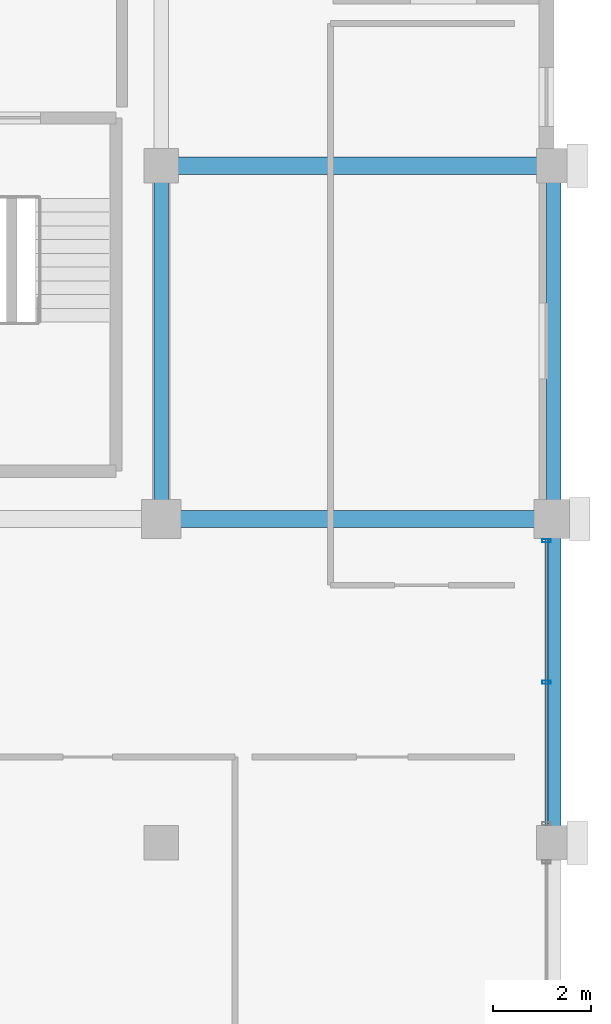
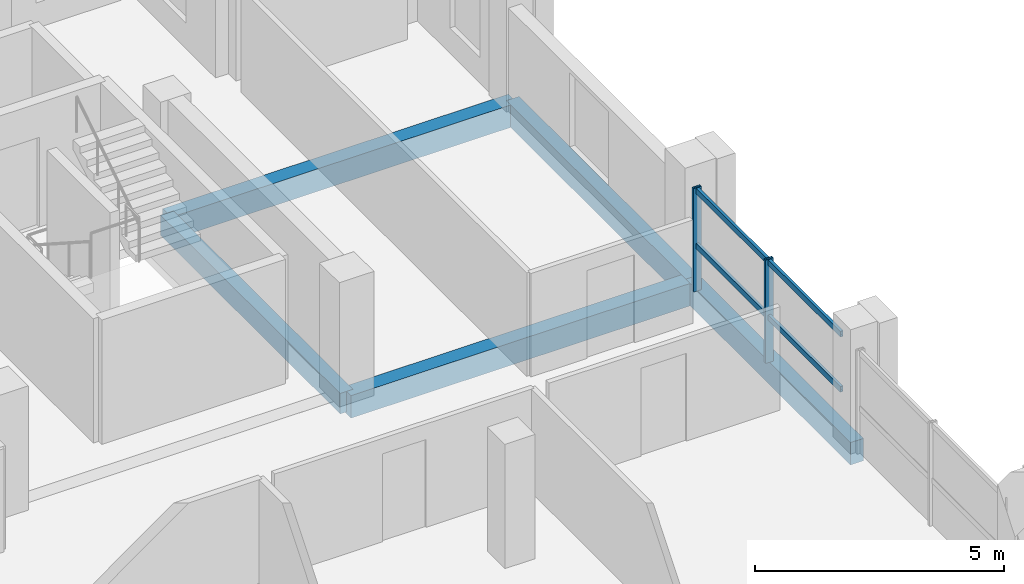
# One storey, part 13 of 24: 5 beams, 4 members, 1 element without a shape of its own.
"""IFC4 building model written with IfcOpenShell, lengths in metres."""

from ifc_helpers import new_model, si_unit, direction, frame, origin, origin_2d, place, context, subcontext, project, spatial, rectangle, hollow_rectangle, extrude, material, material_profile, profile_set, type_object, element, aggregate, save


model = new_model("IFC4")

# Units and contexts
model_context = context("Model", 3, precision=1e-05, world=origin(), true_north=direction((0.0, 1.0)))
body_context = subcontext(model_context, "Body", "Model", "MODEL_VIEW")
ifc_project = project(units=[si_unit("LENGTHUNIT", "METRE"), si_unit("AREAUNIT", "SQUARE_METRE"), si_unit("VOLUMEUNIT", "CUBIC_METRE"), si_unit("PLANEANGLEUNIT", "RADIAN"), si_unit("MASSUNIT", "GRAM", prefix="KILO")], contexts=[model_context])

# Site, building, storey
site_placement = place(None, origin())
site = spatial("IfcSite", under=ifc_project, at=site_placement, CompositionType="ELEMENT")
building_placement = place(site_placement, origin())
building = spatial("IfcBuilding", under=site, at=building_placement, Name="Akrevak Sports Hall", CompositionType="ELEMENT")
storey_placement = place(building_placement, frame((0.0, 0.0, 60.050048828125)))
storey = spatial("IfcBuildingStorey", under=building, at=storey_placement, Name="L15", CompositionType="ELEMENT", Elevation=60.050048828125)

# Curtain wall, members
ifc_material_1 = material(Name="Anodized Bronze Aluminium & Low-E Glass", Category="aluminium")
curtain_wall_type = type_object("IfcCurtainWallType", Name="ARC-CW-TWR-56x30", PredefinedType="NOTDEFINED", material=ifc_material_1)
curtain_wall_placement = place(storey_placement, origin())
curtain_wall = element("IfcCurtainWall", 1, at=curtain_wall_placement, inside=storey, type_object=curtain_wall_type, Name="Curtain Wall CW-L15-E12", PredefinedType="NOTDEFINED")
ifc_material_2 = material(Name="Anodized Bronze Aluminium", Category="aluminium")
ifc_material_profile_1 = material_profile(ifc_material_2, hollow_rectangle(XDim=0.06494140625, YDim=0.179931640625, WallThickness=0.00390625, at=origin_2d()), Name="CWM 65x180", Category="aluminium")
ifc_profile_set_1 = profile_set([ifc_material_profile_1], Name="Anodized Bronze Aluminium")
member_type_1 = type_object("IfcMemberType", Name="ARC-CWM-65x140", PredefinedType="MULLION", material=ifc_profile_set_1)
member_1_placement = place(storey_placement, frame((107.85009765625, 51.875, 0.0), z_axis=(0.0, 0.0, 1.0), x_axis=(0.0, 1.0, 0.0)))
member_1 = element("IfcMember", 2, at=member_1_placement, type_object=member_type_1, Name="Curtain Wall Mullion CW-L15-E12-M2", PredefinedType="MULLION", context=body_context, shape_type="SweptSolid", body=[
    extrude(hollow_rectangle(XDim=0.06494140625, YDim=0.179931640625, WallThickness=0.00390625, at=origin_2d()), origin(), (0.0, 0.0, 1.0), 2.530029296875),
])
member_2_placement = place(storey_placement, frame((107.85009765625, 54.760009765625, 0.0), z_axis=(0.0, 0.0, 1.0), x_axis=(0.0, 1.0, 0.0)))
member_2 = element("IfcMember", 3, at=member_2_placement, type_object=member_type_1, Name="Curtain Wall Mullion CW-L15-E12-M3", PredefinedType="MULLION", context=body_context, shape_type="SweptSolid", body=[
    extrude(hollow_rectangle(XDim=0.06494140625, YDim=0.179931640625, WallThickness=0.00390625, at=origin_2d()), origin(), (0.0, 0.0, 1.0), 2.530029296875),
])
ifc_material_profile_2 = material_profile(ifc_material_2, hollow_rectangle(XDim=0.06494140625, YDim=0.139892578125, WallThickness=0.00390625, at=origin_2d()), Name="CWT 65x140", Category="aluminium")
ifc_profile_set_2 = profile_set([ifc_material_profile_2], Name="Anodized Bronze Aluminium")
member_type_2 = type_object("IfcMemberType", Name="ARC-CWT-65x110", PredefinedType="USERDEFINED", material=ifc_profile_set_2)
member_3_placement = place(storey_placement, frame((107.85009765625, 48.949951171875, 1.099853515625), z_axis=(0.0, 1.0, 0.0), x_axis=(-1.0, 0.0, 0.0)))
member_3 = element("IfcMember", 4, at=member_3_placement, type_object=member_type_2, Name="Curtain Wall Transom CW-L15-E12-T1", ObjectType="TRANSOM", PredefinedType="USERDEFINED", context=body_context, shape_type="SweptSolid", body=[
    extrude(hollow_rectangle(XDim=0.06494140625, YDim=0.139892578125, WallThickness=0.00390625, at=origin_2d()), origin(), (0.0, 0.0, 1.0), 5.85009765625),
])
member_4_placement = place(storey_placement, frame((107.85009765625, 48.949951171875, 2.449951171875), z_axis=(0.0, 1.0, 0.0), x_axis=(-1.0, 0.0, 0.0)))
member_4 = element("IfcMember", 5, at=member_4_placement, type_object=member_type_2, Name="Curtain Wall Transom CW-L15-E12-T2", ObjectType="TRANSOM", PredefinedType="USERDEFINED", context=body_context, shape_type="SweptSolid", body=[
    extrude(hollow_rectangle(XDim=0.06494140625, YDim=0.139892578125, WallThickness=0.00390625, at=origin_2d()), origin(), (0.0, 0.0, 1.0), 5.85009765625),
])
aggregate(curtain_wall, [member_1, member_2, member_3, member_4])

# Beams
ifc_material_3 = material(Name="Concrete C40/50", Category="concrete")
ifc_material_profile_3 = material_profile(ifc_material_3, rectangle(XDim=0.300048828125, YDim=0.5, at=origin_2d()), Name="BM 300x500", Category="concrete")
ifc_profile_set_3 = profile_set([ifc_material_profile_3], Name="Concrete C40/50")
beam_type_1 = type_object("IfcBeamType", Name="STR-BM-RC300x500", PredefinedType="BEAM", material=ifc_profile_set_3)
beam_1_placement = place(storey_placement, frame((100.0, 55.199951171875, -0.25), z_axis=(0.0, 1.0, 0.0), x_axis=(-1.0, 0.0, 0.0)))
element("IfcBeam", 6, at=beam_1_placement, inside=storey, type_object=beam_type_1, Name="Girder 14/I-J (L15)", PredefinedType="BEAM", context=body_context, shape_type="SweptSolid", body=[
    extrude(rectangle(XDim=0.300048828125, YDim=0.5, at=origin_2d()), origin(), (0.0, 0.0, 1.0), 7.199951171875),
])
ifc_material_profile_4 = material_profile(ifc_material_3, rectangle(XDim=0.300048828125, YDim=0.550048828125, at=origin_2d()), Name="BM 300x550", Category="concrete")
ifc_profile_set_4 = profile_set([ifc_material_profile_4], Name="Concrete C40/50")
beam_type_2 = type_object("IfcBeamType", Name="STR-BM-RC300x550", PredefinedType="BEAM", material=ifc_profile_set_4)
beam_2_placement = place(storey_placement, frame((108.0, 48.60009765625, -0.275146484375), z_axis=(0.0, 1.0, 0.0), x_axis=(-1.0, 0.0, 0.0)))
element("IfcBeam", 7, at=beam_2_placement, inside=storey, type_object=beam_type_2, Name="Girder 15/H-I (L15)", PredefinedType="BEAM", context=body_context, shape_type="SweptSolid", body=[
    extrude(rectangle(XDim=0.300048828125, YDim=0.550048828125, at=origin_2d()), origin(), (0.0, 0.0, 1.0), 6.599853515625),
])
beam_3_placement = place(storey_placement, frame((108.0, 55.199951171875, -0.275146484375), z_axis=(0.0, 1.0, 0.0), x_axis=(-1.0, 0.0, 0.0)))
element("IfcBeam", 8, at=beam_3_placement, inside=storey, type_object=beam_type_2, Name="Girder 15/I-J (L15)", PredefinedType="BEAM", context=body_context, shape_type="SweptSolid", body=[
    extrude(rectangle(XDim=0.300048828125, YDim=0.550048828125, at=origin_2d()), origin(), (0.0, 0.0, 1.0), 7.199951171875),
])
ifc_material_profile_5 = material_profile(ifc_material_3, rectangle(XDim=0.35009765625, YDim=0.550048828125, at=origin_2d()), Name="BM 350x550", Category="concrete")
ifc_profile_set_5 = profile_set([ifc_material_profile_5], Name="Concrete C40/50")
beam_type_3 = type_object("IfcBeamType", Name="STR-BM-RC350x550", PredefinedType="BEAM", material=ifc_profile_set_5)
for number, where, z_axis, x_axis, name in (
    (9, (100.0, 55.199951171875, -0.275146484375), (1.0, 0.0, 0.0), (0.0, 1.0, 0.0), "Girder I/14-15 (L15)"),
    (10, (100.0, 62.39990234375, -0.275146484375), (1.0, 0.0, 0.0), (0.0, 1.0, 0.0), "Girder J/14-15 (L15)"),
):
    element("IfcBeam", number, at=place(storey_placement, frame(where, z_axis=z_axis, x_axis=x_axis)), inside=storey, type_object=beam_type_3, Name=name, PredefinedType="BEAM", context=body_context, shape_type="SweptSolid", body=[
        extrude(rectangle(XDim=0.35009765625, YDim=0.550048828125, at=origin_2d()), origin(), (0.0, 0.0, 1.0), 8.0),
    ])

save(model, "model.ifc")
